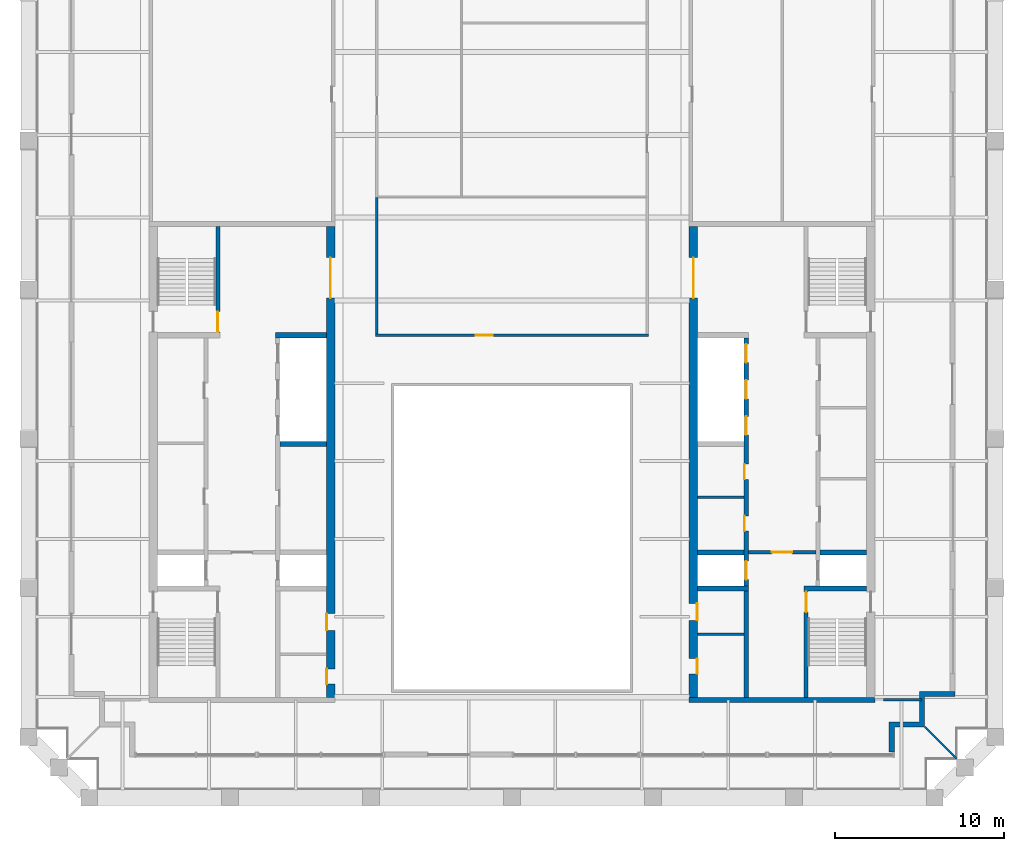
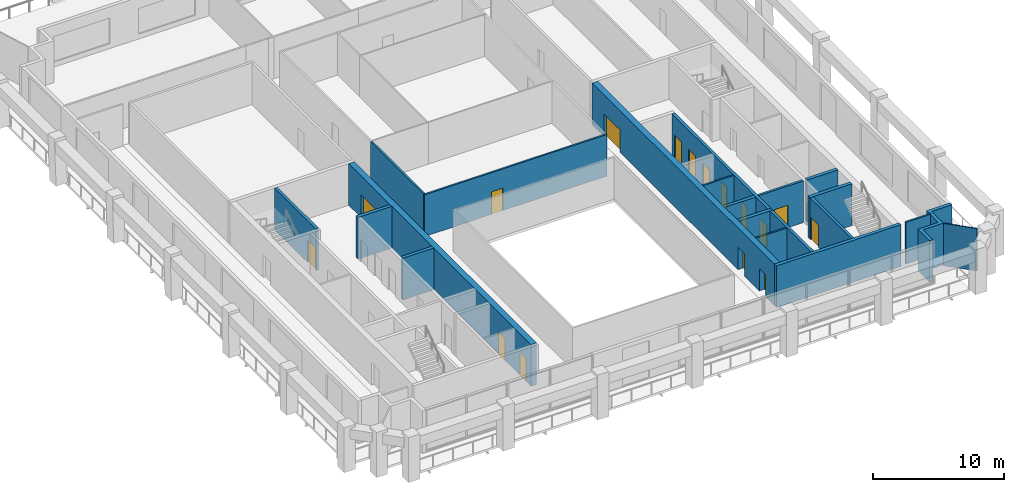
# One storey, part 6 of 10: 20 walls, 16 doors, 16 openings.
"""IFC4 building model written with IfcOpenShell, lengths in metres."""

from ifc_helpers import new_model, si_unit, direction, frame, frame_2d, origin, place, context, subcontext, project, spatial, polyline, rectangle, outline, extrude, material, layer, layer_set, type_object, element, fill, save


model = new_model("IFC4")

# Units and contexts
model_context = context("Model", 3, precision=1e-05, world=origin(), true_north=direction((0.0, 1.0)))
body_context = subcontext(model_context, "Body", "Model", "MODEL_VIEW")
ifc_project = project(units=[si_unit("LENGTHUNIT", "METRE"), si_unit("AREAUNIT", "SQUARE_METRE"), si_unit("VOLUMEUNIT", "CUBIC_METRE"), si_unit("PLANEANGLEUNIT", "RADIAN"), si_unit("MASSUNIT", "GRAM", prefix="KILO")], contexts=[model_context])

# Site, building, storey
site_placement = place(None, origin())
site = spatial("IfcSite", under=ifc_project, at=site_placement, CompositionType="ELEMENT")
building_placement = place(site_placement, origin())
building = spatial("IfcBuilding", under=site, at=building_placement, Name="Ogive Exchange Tower", CompositionType="ELEMENT")
storey_placement = place(building_placement, frame((0.0, 0.0, 359.39990234375)))
storey = spatial("IfcBuildingStorey", under=building, at=storey_placement, Name="L79", CompositionType="ELEMENT", Elevation=359.39990234375)

# Walls
ifc_material_1 = material(Name="Gypsum board partition")
ifc_layer_1 = layer(ifc_material_1, 0.14990234375)
ifc_layer_set_1 = layer_set([ifc_layer_1], Name="Core room partition 150 gypsum")
wall_type_1 = type_object("IfcWallType", Name="Core room partition 150 gypsum", PredefinedType="PARTITIONING", material=ifc_layer_set_1)
for number, where, z_axis, x_axis, name in (
    (1, (11.0, 9.39990234375, 0.0), (0.0, 0.0, 1.0), (1.0, 0.0, 0.0), "E row B bay partition 1-1"),
    (2, (11.0, 1.300048828125, 0.0), (0.0, 0.0, 1.0), (1.0, 0.0, 0.0), "E south room partition"),
):
    element("IfcWall", number, at=place(storey_placement, frame(where, z_axis=z_axis, x_axis=x_axis)), inside=storey, type_object=wall_type_1, Name=name, PredefinedType="PARTITIONING", context=body_context, shape_type="SweptSolid", body=[
        extrude(rectangle(XDim=2.75, YDim=0.14990234375, at=frame_2d((1.375, 0.0))), origin(), (0.0, 0.0, 1.0), 3.900146484375),
    ])

# Wall, opening, door
ifc_material_2 = material(Name="Fire partition EI 60 150")
ifc_layer_2 = layer(ifc_material_2, 0.14990234375)
ifc_layer_set_2 = layer_set([ifc_layer_2], Name="Fire partition EI 60 150")
wall_type_2 = type_object("IfcWallType", Name="Fire partition EI 60 150", PredefinedType="PARTITIONING", material=ifc_layer_set_2)
wall_1_placement = place(storey_placement, frame((-8.074951171875, 19.0, 0.0), z_axis=(0.0, 0.0, 1.0), x_axis=(1.0, 0.0, 0.0)))
wall_1 = element("IfcWall", 3, at=wall_1_placement, inside=storey, type_object=wall_type_2, Name="L79-PWL-005", PredefinedType="PARTITIONING", context=body_context, shape_type="SweptSolid", body=[
    extrude(rectangle(XDim=16.14990234375, YDim=0.14990234375, at=frame_2d((8.074951171875, 0.0))), origin(), (0.0, 0.0, 1.0), 3.900146484375),
])
opening_1_placement = place(wall_1_placement, frame((5.925048828125, 0.0, 0.0)))
opening_1 = element("IfcOpeningElement", 4, at=opening_1_placement, cuts=wall_1, Name="Opening L79-I09", PredefinedType="OPENING", context=body_context, shape_type="SweptSolid", body=[
    extrude(rectangle(XDim=1.0, YDim=2.10009765625, at=frame_2d((0.5, 1.050048828125))), frame((0.0, 0.0849609375, 0.0), z_axis=(0.0, -1.0, 0.0), x_axis=(1.0, 0.0, 0.0)), (0.0, 0.0, 1.0), 0.169921875),
])
ifc_material_3 = material(Name="Fire door FD 30S 1000 x 2100")
door_type_1 = type_object("IfcDoorType", Name="Fire door FD 30S 1000 x 2100", OperationType="NOTDEFINED", PredefinedType="DOOR", material=ifc_material_3)
door_1_placement = place(opening_1_placement, origin())
door_1 = element("IfcDoor", 5, at=door_1_placement, inside=storey, type_object=door_type_1, Name="L79-IDR-009", ObjectType="DT3", OperationType="SINGLE_SWING_RIGHT", OverallHeight=2.10009765625, OverallWidth=1.0, PredefinedType="DOOR", context=body_context, shape_type="SweptSolid", body=[
    extrude(rectangle(XDim=1.0, YDim=2.10009765625, at=frame_2d((0.5, 1.050048828125))), frame((0.0, 0.02490234375, 0.0), z_axis=(0.0, -1.0, 0.0), x_axis=(1.0, 0.0, 0.0)), (0.0, 0.0, 1.0), 0.050048828125),
])
fill(opening_1, door_1)

# Walls
wall_2_placement = place(storey_placement, frame((-8.0, 27.14990234375, 0.0), z_axis=(0.0, 0.0, 1.0), x_axis=(0.0, -1.0, 0.0)))
element("IfcWall", 6, at=wall_2_placement, inside=storey, type_object=wall_type_2, Name="L79-PWL-006", PredefinedType="PARTITIONING", context=body_context, shape_type="SweptSolid", body=[
    extrude(rectangle(XDim=8.074951171875, YDim=0.14990234375, at=frame_2d((4.03759765625, 0.0))), origin(), (0.0, 0.0, 1.0), 3.900146484375),
])
wall_3_placement = place(storey_placement, frame((22.0, -2.60009765625, 0.0), z_axis=(0.0, 0.0, 1.0), x_axis=(1.0, 0.0, 0.0)))
element("IfcWall", 7, at=wall_3_placement, inside=storey, type_object=wall_type_2, Name="L79-PWL-025", PredefinedType="PARTITIONING", context=body_context, shape_type="SweptSolid", body=[
    extrude(rectangle(XDim=2.25, YDim=0.14990234375, at=frame_2d((1.125, 0.0))), origin(), (0.0, 0.0, 1.0), 3.900146484375),
])
ifc_material_4 = material(Name="Precast concrete C40/50", Category="concrete")
ifc_layer_3 = layer(ifc_material_4, 0.300048828125)
ifc_layer_set_3 = layer_set([ifc_layer_3], Name="Limestone-faced wall 300")
wall_type_3 = type_object("IfcWallType", Name="Limestone-faced wall 300", PredefinedType="STANDARD", material=ifc_layer_set_3)
wall_4_placement = place(storey_placement, origin())
element("IfcWall", 8, at=wall_4_placement, inside=storey, type_object=wall_type_3, Name="External corner wall C1", PredefinedType="STANDARD", context=body_context, shape_type="SweptSolid", body=[
    extrude(outline(polyline([(24.14990234375, -3.89990234375), (24.14990234375, -2.10009765625), (26.25, -2.10009765625), (26.25, -2.39990234375), (24.449951171875, -2.39990234375), (24.449951171875, -4.199951171875), (22.64990234375, -4.199951171875), (22.64990234375, -5.699951171875), (22.35009765625, -5.699951171875), (22.35009765625, -3.89990234375), (24.14990234375, -3.89990234375)])), origin(), (0.0, 0.0, 1.0), 3.900146484375),
])
ifc_material_5 = material(Name="Laminated safety glass in steel frame", Category="steel")
ifc_layer_4 = layer(ifc_material_5, 0.10009765625)
ifc_layer_set_4 = layer_set([ifc_layer_4], Name="Loggia end screen 100")
wall_type_4 = type_object("IfcWallType", Name="Loggia end screen 100", PredefinedType="STANDARD", material=ifc_layer_set_4)
wall_5_placement = place(storey_placement, frame((24.449951171875, -4.199951171875, -0.0498046875), z_axis=(0.0, 0.0, 1.0), x_axis=(0.707106781187, -0.707106781187, 0.0)))
element("IfcWall", 9, at=wall_5_placement, inside=storey, type_object=wall_type_4, Name="Loggia end screen C1", PredefinedType="STANDARD", context=body_context, shape_type="SweptSolid", body=[
    extrude(rectangle(XDim=2.667236328125, YDim=0.10009765625, at=frame_2d((1.33349609375, 0.0))), origin(), (0.0, 0.0, 1.0), 3.949951171875),
])

# Wall, opening, door
ifc_material_6 = material(Name="Concrete C70/85", Category="concrete")
ifc_layer_5 = layer(ifc_material_6, 0.199951171875)
ifc_layer_set_5 = layer_set([ifc_layer_5], Name="RC core wall 200 C70/85")
wall_type_5 = type_object("IfcWallType", Name="RC core wall 200 C70/85", PredefinedType="SHEAR", material=ifc_layer_set_5)
wall_6_placement = place(storey_placement, frame((14.0, 6.142822265625, 0.0), z_axis=(0.0, 0.0, 1.0), x_axis=(1.0, 0.0, 0.0)))
wall_6 = element("IfcWall", 10, at=wall_6_placement, inside=storey, type_object=wall_type_5, Name="E firefighting lobby wall", PredefinedType="SHEAR", context=body_context, shape_type="SweptSolid", body=[
    extrude(rectangle(XDim=4.0, YDim=0.199951171875, at=frame_2d((2.0, 0.0))), origin(), (0.0, 0.0, 1.0), 3.900146484375),
])
opening_2_placement = place(wall_6_placement, frame((1.39990234375, 0.0, 0.0)))
opening_2 = element("IfcOpeningElement", 11, at=opening_2_placement, cuts=wall_6, Name="Opening L79-C28", PredefinedType="OPENING", context=body_context, shape_type="SweptSolid", body=[
    extrude(rectangle(XDim=1.199951171875, YDim=2.10009765625, at=frame_2d((0.60009765625, 1.050048828125))), frame((0.0, 0.10986328125, 0.0), z_axis=(0.0, -1.0, 0.0), x_axis=(1.0, 0.0, 0.0)), (0.0, 0.0, 1.0), 0.219970703125),
])
ifc_material_7 = material(Name="Steel fire door", Category="steel")
door_type_2 = type_object("IfcDoorType", Name="Firefighting lobby door FD60 1200 x 2100", OperationType="NOTDEFINED", PredefinedType="DOOR", material=ifc_material_7)
door_2_placement = place(opening_2_placement, frame((1.199951171875, 0.0, 0.0), z_axis=(0.0, 0.0, 1.0), x_axis=(-1.0, 0.0, 0.0)))
door_2 = element("IfcDoor", 12, at=door_2_placement, inside=storey, type_object=door_type_2, Name="Firefighting lobby door", ObjectType="CD3", OperationType="SINGLE_SWING_LEFT", OverallHeight=2.10009765625, OverallWidth=1.199951171875, PredefinedType="DOOR", context=body_context, shape_type="SweptSolid", body=[
    extrude(rectangle(XDim=1.199951171875, YDim=2.10009765625, at=frame_2d((0.60009765625, 1.050048828125))), frame((0.0, 0.02490234375, 0.0), z_axis=(0.0, -1.0, 0.0), x_axis=(1.0, 0.0, 0.0)), (0.0, 0.0, 1.0), 0.050048828125),
])
fill(opening_2, door_2)

ifc_layer_6 = layer(ifc_material_6, 0.25)
ifc_layer_set_6 = layer_set([ifc_layer_6], Name="RC core wall 250 C70/85")
wall_type_6 = type_object("IfcWallType", Name="RC core wall 250 C70/85", PredefinedType="SHEAR", material=ifc_layer_set_6)
wall_7_placement = place(storey_placement, frame((-17.425048828125, 19.14990234375, 0.0), z_axis=(0.0, 0.0, 1.0), x_axis=(0.0, 1.0, 0.0)))
wall_7 = element("IfcWall", 13, at=wall_7_placement, inside=storey, type_object=wall_type_6, Name="W stair N front wall", PredefinedType="SHEAR", context=body_context, shape_type="SweptSolid", body=[
    extrude(rectangle(XDim=6.300048828125, YDim=0.25, at=frame_2d((3.14990234375, 0.0))), origin(), (0.0, 0.0, 1.0), 3.900146484375),
])
opening_3_placement = place(wall_7_placement, frame((0.050048828125, 0.0, 0.0)))
opening_3 = element("IfcOpeningElement", 14, at=opening_3_placement, cuts=wall_7, Name="Opening L79-C13", PredefinedType="OPENING", context=body_context, shape_type="SweptSolid", body=[
    extrude(rectangle(XDim=1.199951171875, YDim=2.10009765625, at=frame_2d((0.60009765625, 1.050048828125))), frame((0.0, 0.135009765625, 0.0), z_axis=(0.0, -1.0, 0.0), x_axis=(1.0, 0.0, 0.0)), (0.0, 0.0, 1.0), 0.27001953125),
])
door_type_3 = type_object("IfcDoorType", Name="Stair door FD90 1200 x 2100", OperationType="NOTDEFINED", PredefinedType="DOOR", material=ifc_material_7)
door_3_placement = place(opening_3_placement, origin())
door_3 = element("IfcDoor", 15, at=door_3_placement, inside=storey, type_object=door_type_3, Name="Stair door", ObjectType="CD5", OperationType="SINGLE_SWING_RIGHT", OverallHeight=2.10009765625, OverallWidth=1.199951171875, PredefinedType="DOOR", context=body_context, shape_type="SweptSolid", body=[
    extrude(rectangle(XDim=1.199951171875, YDim=2.10009765625, at=frame_2d((0.60009765625, 1.050048828125))), frame((0.0, 0.02490234375, 0.0), z_axis=(0.0, -1.0, 0.0), x_axis=(1.0, 0.0, 0.0)), (0.0, 0.0, 1.0), 0.050048828125),
])
fill(opening_3, door_3)

wall_8_placement = place(storey_placement, frame((17.425048828125, -2.449951171875, 0.0), z_axis=(0.0, 0.0, 1.0), x_axis=(0.0, 1.0, 0.0)))
wall_8 = element("IfcWall", 16, at=wall_8_placement, inside=storey, type_object=wall_type_6, Name="E stair S front wall", PredefinedType="SHEAR", context=body_context, shape_type="SweptSolid", body=[
    extrude(rectangle(XDim=6.300048828125, YDim=0.25, at=frame_2d((3.14990234375, 0.0))), origin(), (0.0, 0.0, 1.0), 3.900146484375),
])
opening_4_placement = place(wall_8_placement, frame((5.050048828125, 0.0, 0.0)))
opening_4 = element("IfcOpeningElement", 17, at=opening_4_placement, cuts=wall_8, Name="Opening L79-C30", PredefinedType="OPENING", context=body_context, shape_type="SweptSolid", body=[
    extrude(rectangle(XDim=1.199951171875, YDim=2.10009765625, at=frame_2d((0.60009765625, 1.050048828125))), frame((0.0, 0.135009765625, 0.0), z_axis=(0.0, -1.0, 0.0), x_axis=(1.0, 0.0, 0.0)), (0.0, 0.0, 1.0), 0.27001953125),
])
door_4_placement = place(opening_4_placement, frame((1.199951171875, 0.0, 0.0), z_axis=(0.0, 0.0, 1.0), x_axis=(-1.0, 0.0, 0.0)))
door_4 = element("IfcDoor", 18, at=door_4_placement, inside=storey, type_object=door_type_3, Name="Stair door", ObjectType="CD5", OperationType="SINGLE_SWING_RIGHT", OverallHeight=2.10009765625, OverallWidth=1.199951171875, PredefinedType="DOOR", context=body_context, shape_type="SweptSolid", body=[
    extrude(rectangle(XDim=1.199951171875, YDim=2.10009765625, at=frame_2d((0.60009765625, 1.050048828125))), frame((0.0, 0.02490234375, 0.0), z_axis=(0.0, -1.0, 0.0), x_axis=(1.0, 0.0, 0.0)), (0.0, 0.0, 1.0), 0.050048828125),
])
fill(opening_4, door_4)

# Wall, openings, doors
wall_9_placement = place(storey_placement, frame((13.875, -2.449951171875, 0.0), z_axis=(0.0, 0.0, 1.0), x_axis=(0.0, 1.0, 0.0)))
wall_9 = element("IfcWall", 19, at=wall_9_placement, inside=storey, type_object=wall_type_6, Name="E row B front wall", PredefinedType="SHEAR", context=body_context, shape_type="SweptSolid", body=[
    extrude(rectangle(XDim=21.300048828125, YDim=0.25, at=frame_2d((10.64990234375, 0.0))), origin(), (0.0, 0.0, 1.0), 3.900146484375),
])
opening_5_placement = place(wall_9_placement, frame((9.846435546875, 0.0, 0.0)))
opening_5 = element("IfcOpeningElement", 20, at=opening_5_placement, cuts=wall_9, Name="Opening L79-C22", PredefinedType="OPENING", context=body_context, shape_type="SweptSolid", body=[
    extrude(rectangle(XDim=0.89990234375, YDim=2.10009765625, at=frame_2d((0.449951171875, 1.050048828125))), frame((0.0, 0.135009765625, 0.0), z_axis=(0.0, -1.0, 0.0), x_axis=(1.0, 0.0, 0.0)), (0.0, 0.0, 1.0), 0.27001953125),
])
opening_6_placement = place(wall_9_placement, frame((12.91064453125, 0.0, 0.0)))
opening_6 = element("IfcOpeningElement", 21, at=opening_6_placement, cuts=wall_9, Name="Opening L79-C23", PredefinedType="OPENING", context=body_context, shape_type="SweptSolid", body=[
    extrude(rectangle(XDim=0.89990234375, YDim=2.10009765625, at=frame_2d((0.449951171875, 1.050048828125))), frame((0.0, 0.135009765625, 0.0), z_axis=(0.0, -1.0, 0.0), x_axis=(1.0, 0.0, 0.0)), (0.0, 0.0, 1.0), 0.27001953125),
])
opening_7_placement = place(wall_9_placement, frame((6.971435546875, 0.0, 0.0)))
opening_7 = element("IfcOpeningElement", 22, at=opening_7_placement, cuts=wall_9, Name="Opening L79-C24", PredefinedType="OPENING", context=body_context, shape_type="SweptSolid", body=[
    extrude(rectangle(XDim=1.10009765625, YDim=2.10009765625, at=frame_2d((0.550048828125, 1.050048828125))), frame((0.0, 0.135009765625, 0.0), z_axis=(0.0, -1.0, 0.0), x_axis=(1.0, 0.0, 0.0)), (0.0, 0.0, 1.0), 0.27001953125),
])
opening_8_placement = place(wall_9_placement, frame((15.54296875, 0.0, 0.0)))
opening_8 = element("IfcOpeningElement", 23, at=opening_8_placement, cuts=wall_9, Name="Opening L79-C25", PredefinedType="OPENING", context=body_context, shape_type="SweptSolid", body=[
    extrude(rectangle(XDim=1.10009765625, YDim=2.10009765625, at=frame_2d((0.550048828125, 1.050048828125))), frame((0.0, 0.135009765625, 0.0), z_axis=(0.0, -1.0, 0.0), x_axis=(1.0, 0.0, 0.0)), (0.0, 0.0, 1.0), 0.27001953125),
])
opening_9_placement = place(wall_9_placement, frame((17.685791015625, 0.0, 0.0)))
opening_9 = element("IfcOpeningElement", 24, at=opening_9_placement, cuts=wall_9, Name="Opening L79-C26", PredefinedType="OPENING", context=body_context, shape_type="SweptSolid", body=[
    extrude(rectangle(XDim=1.10009765625, YDim=2.10009765625, at=frame_2d((0.550048828125, 1.050048828125))), frame((0.0, 0.135009765625, 0.0), z_axis=(0.0, -1.0, 0.0), x_axis=(1.0, 0.0, 0.0)), (0.0, 0.0, 1.0), 0.27001953125),
])
opening_10_placement = place(wall_9_placement, frame((19.82861328125, 0.0, 0.0)))
opening_10 = element("IfcOpeningElement", 25, at=opening_10_placement, cuts=wall_9, Name="Opening L79-C27", PredefinedType="OPENING", context=body_context, shape_type="SweptSolid", body=[
    extrude(rectangle(XDim=1.10009765625, YDim=2.10009765625, at=frame_2d((0.550048828125, 1.050048828125))), frame((0.0, 0.135009765625, 0.0), z_axis=(0.0, -1.0, 0.0), x_axis=(1.0, 0.0, 0.0)), (0.0, 0.0, 1.0), 0.27001953125),
])
ifc_material_8 = material(Name="Stainless steel", Category="steel")
door_type_4 = type_object("IfcDoorType", Name="Lift landing door FD90 1100 x 2100", OperationType="SLIDING_TO_LEFT", PredefinedType="DOOR", material=ifc_material_8)
door_5_placement = place(opening_7_placement, origin())
door_5 = element("IfcDoor", 26, at=door_5_placement, inside=storey, type_object=door_type_4, Name="Lift landing door SV2", ObjectType="LD", OperationType="SLIDING_TO_LEFT", OverallHeight=2.10009765625, OverallWidth=1.10009765625, PredefinedType="DOOR", context=body_context, shape_type="SweptSolid", body=[
    extrude(rectangle(XDim=1.10009765625, YDim=2.10009765625, at=frame_2d((0.550048828125, 1.050048828125))), frame((0.0, 0.02490234375, 0.0), z_axis=(0.0, -1.0, 0.0), x_axis=(1.0, 0.0, 0.0)), (0.0, 0.0, 1.0), 0.050048828125),
])
fill(opening_7, door_5)
door_6_placement = place(opening_8_placement, origin())
door_6 = element("IfcDoor", 27, at=door_6_placement, inside=storey, type_object=door_type_4, Name="Lift landing door E-H1", ObjectType="LD", OperationType="SLIDING_TO_LEFT", OverallHeight=2.10009765625, OverallWidth=1.10009765625, PredefinedType="DOOR", context=body_context, shape_type="SweptSolid", body=[
    extrude(rectangle(XDim=1.10009765625, YDim=2.10009765625, at=frame_2d((0.550048828125, 1.050048828125))), frame((0.0, 0.02490234375, 0.0), z_axis=(0.0, -1.0, 0.0), x_axis=(1.0, 0.0, 0.0)), (0.0, 0.0, 1.0), 0.050048828125),
])
fill(opening_8, door_6)
door_7_placement = place(opening_9_placement, origin())
door_7 = element("IfcDoor", 28, at=door_7_placement, inside=storey, type_object=door_type_4, Name="Lift landing door E-H2", ObjectType="LD", OperationType="SLIDING_TO_LEFT", OverallHeight=2.10009765625, OverallWidth=1.10009765625, PredefinedType="DOOR", context=body_context, shape_type="SweptSolid", body=[
    extrude(rectangle(XDim=1.10009765625, YDim=2.10009765625, at=frame_2d((0.550048828125, 1.050048828125))), frame((0.0, 0.02490234375, 0.0), z_axis=(0.0, -1.0, 0.0), x_axis=(1.0, 0.0, 0.0)), (0.0, 0.0, 1.0), 0.050048828125),
])
fill(opening_9, door_7)
door_8_placement = place(opening_10_placement, origin())
door_8 = element("IfcDoor", 29, at=door_8_placement, inside=storey, type_object=door_type_4, Name="Lift landing door E-H3", ObjectType="LD", OperationType="SLIDING_TO_LEFT", OverallHeight=2.10009765625, OverallWidth=1.10009765625, PredefinedType="DOOR", context=body_context, shape_type="SweptSolid", body=[
    extrude(rectangle(XDim=1.10009765625, YDim=2.10009765625, at=frame_2d((0.550048828125, 1.050048828125))), frame((0.0, 0.02490234375, 0.0), z_axis=(0.0, -1.0, 0.0), x_axis=(1.0, 0.0, 0.0)), (0.0, 0.0, 1.0), 0.050048828125),
])
fill(opening_10, door_8)
door_type_5 = type_object("IfcDoorType", Name="Riser door FD60 900 x 2100", OperationType="NOTDEFINED", PredefinedType="DOOR", material=ifc_material_7)
door_9_placement = place(opening_5_placement, origin())
door_9 = element("IfcDoor", 30, at=door_9_placement, inside=storey, type_object=door_type_5, Name="Riser door", ObjectType="CD2", OperationType="SINGLE_SWING_RIGHT", OverallHeight=2.10009765625, OverallWidth=0.89990234375, PredefinedType="DOOR", context=body_context, shape_type="SweptSolid", body=[
    extrude(rectangle(XDim=0.89990234375, YDim=2.10009765625, at=frame_2d((0.449951171875, 1.050048828125))), frame((0.0, 0.125, 0.0), z_axis=(0.0, -1.0, 0.0), x_axis=(1.0, 0.0, 0.0)), (0.0, 0.0, 1.0), 0.050048828125),
])
fill(opening_5, door_9)
door_10_placement = place(opening_6_placement, origin())
door_10 = element("IfcDoor", 31, at=door_10_placement, inside=storey, type_object=door_type_5, Name="Riser door", ObjectType="CD2", OperationType="SINGLE_SWING_RIGHT", OverallHeight=2.10009765625, OverallWidth=0.89990234375, PredefinedType="DOOR", context=body_context, shape_type="SweptSolid", body=[
    extrude(rectangle(XDim=0.89990234375, YDim=2.10009765625, at=frame_2d((0.449951171875, 1.050048828125))), frame((0.0, 0.125, 0.0), z_axis=(0.0, -1.0, 0.0), x_axis=(1.0, 0.0, 0.0)), (0.0, 0.0, 1.0), 0.050048828125),
])
fill(opening_6, door_10)

# Walls
ifc_layer_7 = layer(ifc_material_6, 0.300048828125)
ifc_layer_set_7 = layer_set([ifc_layer_7], Name="RC core wall 300 C70/85")
wall_type_7 = type_object("IfcWallType", Name="RC core wall 300 C70/85", PredefinedType="SHEAR", material=ifc_layer_set_7)
wall_10_placement = place(storey_placement, frame((-13.75, 12.5712890625, 0.0), z_axis=(0.0, 0.0, 1.0), x_axis=(1.0, 0.0, 0.0)))
element("IfcWall", 32, at=wall_10_placement, inside=storey, type_object=wall_type_7, Name="W row B divider 4", PredefinedType="SHEAR", context=body_context, shape_type="SweptSolid", body=[
    extrude(rectangle(XDim=2.75, YDim=0.300048828125, at=frame_2d((1.375, 0.0))), origin(), (0.0, 0.0, 1.0), 3.900146484375),
])
wall_11_placement = place(storey_placement, frame((-14.0, 19.0, 0.0), z_axis=(0.0, 0.0, 1.0), x_axis=(1.0, 0.0, 0.0)))
element("IfcWall", 33, at=wall_11_placement, inside=storey, type_object=wall_type_7, Name="W row B divider 7", PredefinedType="SHEAR", context=body_context, shape_type="SweptSolid", body=[
    extrude(rectangle(XDim=3.0, YDim=0.300048828125, at=frame_2d((1.5, 0.0))), origin(), (0.0, 0.0, 1.0), 3.900146484375),
])
wall_12_placement = place(storey_placement, frame((10.5, -2.60009765625, 0.0), z_axis=(0.0, 0.0, 1.0), x_axis=(1.0, 0.0, 0.0)))
element("IfcWall", 34, at=wall_12_placement, inside=storey, type_object=wall_type_7, Name="E south end wall", PredefinedType="SHEAR", context=body_context, shape_type="SweptSolid", body=[
    extrude(rectangle(XDim=11.0, YDim=0.300048828125, at=frame_2d((5.5, 0.0))), origin(), (0.0, 0.0, 1.0), 3.900146484375),
])
wall_13_placement = place(storey_placement, frame((17.300048828125, 4.0, 0.0), z_axis=(0.0, 0.0, 1.0), x_axis=(1.0, 0.0, 0.0)))
element("IfcWall", 35, at=wall_13_placement, inside=storey, type_object=wall_type_7, Name="E stair S north wall", PredefinedType="SHEAR", context=body_context, shape_type="SweptSolid", body=[
    extrude(rectangle(XDim=3.699951171875, YDim=0.300048828125, at=frame_2d((1.85009765625, 0.0))), origin(), (0.0, 0.0, 1.0), 3.900146484375),
])
wall_14_placement = place(storey_placement, frame((18.25, 6.142822265625, 0.0), z_axis=(0.0, 0.0, 1.0), x_axis=(1.0, 0.0, 0.0)))
element("IfcWall", 36, at=wall_14_placement, inside=storey, type_object=wall_type_7, Name="E row A divider 1", PredefinedType="SHEAR", context=body_context, shape_type="SweptSolid", body=[
    extrude(rectangle(XDim=2.75, YDim=0.300048828125, at=frame_2d((1.375, 0.0))), origin(), (0.0, 0.0, 1.0), 3.900146484375),
])
wall_15_placement = place(storey_placement, frame((11.0, 4.0, 0.0), z_axis=(0.0, 0.0, 1.0), x_axis=(1.0, 0.0, 0.0)))
element("IfcWall", 37, at=wall_15_placement, inside=storey, type_object=wall_type_7, Name="E row B divider 0", PredefinedType="SHEAR", context=body_context, shape_type="SweptSolid", body=[
    extrude(rectangle(XDim=3.0, YDim=0.300048828125, at=frame_2d((1.5, 0.0))), origin(), (0.0, 0.0, 1.0), 3.900146484375),
])
wall_16_placement = place(storey_placement, frame((11.0, 6.142822265625, 0.0), z_axis=(0.0, 0.0, 1.0), x_axis=(1.0, 0.0, 0.0)))
element("IfcWall", 38, at=wall_16_placement, inside=storey, type_object=wall_type_7, Name="E row B divider 1", PredefinedType="SHEAR", context=body_context, shape_type="SweptSolid", body=[
    extrude(rectangle(XDim=2.75, YDim=0.300048828125, at=frame_2d((1.375, 0.0))), origin(), (0.0, 0.0, 1.0), 3.900146484375),
])

# Wall, openings, doors
ifc_layer_8 = layer(ifc_material_6, 0.5)
ifc_layer_set_8 = layer_set([ifc_layer_8], Name="RC core wall 500 C70/85")
wall_type_8 = type_object("IfcWallType", Name="RC core wall 500 C70/85", PredefinedType="SHEAR", material=ifc_layer_set_8)
wall_17_placement = place(storey_placement, frame((-10.75, -2.449951171875, 0.0), z_axis=(0.0, 0.0, 1.0), x_axis=(0.0, 1.0, 0.0)))
wall_17 = element("IfcWall", 39, at=wall_17_placement, inside=storey, type_object=wall_type_8, Name="W inner wall", PredefinedType="SHEAR", context=body_context, shape_type="SweptSolid", body=[
    extrude(rectangle(XDim=27.89990234375, YDim=0.5, at=frame_2d((13.949951171875, 0.0))), origin(), (0.0, 0.0, 1.0), 3.900146484375),
])
opening_11_placement = place(wall_17_placement, frame((23.64990234375, 0.0, 0.0)))
opening_11 = element("IfcOpeningElement", 40, at=opening_11_placement, cuts=wall_17, Name="Opening L79-C10", PredefinedType="OPENING", context=body_context, shape_type="SweptSolid", body=[
    extrude(rectangle(XDim=2.39990234375, YDim=2.10009765625, at=frame_2d((1.199951171875, 1.050048828125))), frame((0.0, 0.260009765625, 0.0), z_axis=(0.0, -1.0, 0.0), x_axis=(1.0, 0.0, 0.0)), (0.0, 0.0, 1.0), 0.52001953125),
])
opening_12_placement = place(wall_17_placement, frame((0.78759765625, 0.0, 0.0)))
opening_12 = element("IfcOpeningElement", 41, at=opening_12_placement, cuts=wall_17, Name="Opening L79-C15", PredefinedType="OPENING", context=body_context, shape_type="SweptSolid", body=[
    extrude(rectangle(XDim=0.89990234375, YDim=2.10009765625, at=frame_2d((0.449951171875, 1.050048828125))), frame((0.0, 0.260009765625, 0.0), z_axis=(0.0, -1.0, 0.0), x_axis=(1.0, 0.0, 0.0)), (0.0, 0.0, 1.0), 0.52001953125),
])
opening_13_placement = place(wall_17_placement, frame((3.96240234375, 0.0, 0.0)))
opening_13 = element("IfcOpeningElement", 42, at=opening_13_placement, cuts=wall_17, Name="Opening L79-C16", PredefinedType="OPENING", context=body_context, shape_type="SweptSolid", body=[
    extrude(rectangle(XDim=1.0, YDim=2.10009765625, at=frame_2d((0.5, 1.050048828125))), frame((0.0, 0.260009765625, 0.0), z_axis=(0.0, -1.0, 0.0), x_axis=(1.0, 0.0, 0.0)), (0.0, 0.0, 1.0), 0.52001953125),
])
ifc_material_9 = material(Name="Timber fire door", Category="wood")
door_type_6 = type_object("IfcDoorType", Name="Accessible WC door FD30S 1000 x 2100", OperationType="NOTDEFINED", PredefinedType="DOOR", material=ifc_material_9)
door_11_placement = place(opening_13_placement, frame((1.0, 0.4501953125, 0.0), z_axis=(0.0, 0.0, 1.0), x_axis=(-1.0, 0.0, 0.0)))
door_11 = element("IfcDoor", 43, at=door_11_placement, inside=storey, type_object=door_type_6, Name="Accessible WC door", ObjectType="CD7", OperationType="SINGLE_SWING_LEFT", OverallHeight=2.10009765625, OverallWidth=1.0, PredefinedType="DOOR", context=body_context, shape_type="SweptSolid", body=[
    extrude(rectangle(XDim=1.0, YDim=2.10009765625, at=frame_2d((0.5, 1.050048828125))), frame((0.0, 0.25, 0.0), z_axis=(0.0, -1.0, 0.0), x_axis=(1.0, 0.0, 0.0)), (0.0, 0.0, 1.0), 0.050048828125),
])
fill(opening_13, door_11)
door_type_7 = type_object("IfcDoorType", Name="Core room door FD30S 900 x 2100", OperationType="NOTDEFINED", PredefinedType="DOOR", material=ifc_material_9)
door_12_placement = place(opening_12_placement, frame((0.89990234375, 0.4501953125, 0.0), z_axis=(0.0, 0.0, 1.0), x_axis=(-1.0, 0.0, 0.0)))
door_12 = element("IfcDoor", 44, at=door_12_placement, inside=storey, type_object=door_type_7, Name="Core room door", ObjectType="CD6", OperationType="SINGLE_SWING_LEFT", OverallHeight=2.10009765625, OverallWidth=0.89990234375, PredefinedType="DOOR", context=body_context, shape_type="SweptSolid", body=[
    extrude(rectangle(XDim=0.89990234375, YDim=2.10009765625, at=frame_2d((0.449951171875, 1.050048828125))), frame((0.0, 0.25, 0.0), z_axis=(0.0, -1.0, 0.0), x_axis=(1.0, 0.0, 0.0)), (0.0, 0.0, 1.0), 0.050048828125),
])
fill(opening_12, door_12)
ifc_material_10 = material(Name="Glazed steel fire door", Category="steel")
door_type_8 = type_object("IfcDoorType", Name="Lift lobby double door FD60 2400 x 2100", OperationType="DOUBLE_DOOR_SINGLE_SWING", PredefinedType="DOOR", material=ifc_material_10)
door_13_placement = place(opening_11_placement, frame((2.39990234375, 0.0, 0.0), z_axis=(0.0, 0.0, 1.0), x_axis=(-1.0, 0.0, 0.0)))
door_13 = element("IfcDoor", 45, at=door_13_placement, inside=storey, type_object=door_type_8, Name="Lift lobby double door", ObjectType="CD4", OperationType="DOUBLE_DOOR_SINGLE_SWING", OverallHeight=2.10009765625, OverallWidth=2.39990234375, PredefinedType="DOOR", context=body_context, shape_type="SweptSolid", body=[
    extrude(rectangle(XDim=2.39990234375, YDim=2.10009765625, at=frame_2d((1.199951171875, 1.050048828125))), frame((0.0, 0.02490234375, 0.0), z_axis=(0.0, -1.0, 0.0), x_axis=(1.0, 0.0, 0.0)), (0.0, 0.0, 1.0), 0.050048828125),
])
fill(opening_11, door_13)

wall_18_placement = place(storey_placement, frame((10.75, -2.449951171875, 0.0), z_axis=(0.0, 0.0, 1.0), x_axis=(0.0, 1.0, 0.0)))
wall_18 = element("IfcWall", 46, at=wall_18_placement, inside=storey, type_object=wall_type_8, Name="E inner wall", PredefinedType="SHEAR", context=body_context, shape_type="SweptSolid", body=[
    extrude(rectangle(XDim=27.89990234375, YDim=0.5, at=frame_2d((13.949951171875, 0.0))), origin(), (0.0, 0.0, 1.0), 3.900146484375),
])
opening_14_placement = place(wall_18_placement, frame((23.64990234375, 0.0, 0.0)))
opening_14 = element("IfcOpeningElement", 47, at=opening_14_placement, cuts=wall_18, Name="Opening L79-C29", PredefinedType="OPENING", context=body_context, shape_type="SweptSolid", body=[
    extrude(rectangle(XDim=2.39990234375, YDim=2.10009765625, at=frame_2d((1.199951171875, 1.050048828125))), frame((0.0, 0.260009765625, 0.0), z_axis=(0.0, -1.0, 0.0), x_axis=(1.0, 0.0, 0.0)), (0.0, 0.0, 1.0), 0.52001953125),
])
opening_15_placement = place(wall_18_placement, frame((1.387451171875, 0.0, 0.0)))
opening_15 = element("IfcOpeningElement", 48, at=opening_15_placement, cuts=wall_18, Name="Opening L79-C34", PredefinedType="OPENING", context=body_context, shape_type="SweptSolid", body=[
    extrude(rectangle(XDim=0.89990234375, YDim=2.10009765625, at=frame_2d((0.449951171875, 1.050048828125))), frame((0.0, 0.260009765625, 0.0), z_axis=(0.0, -1.0, 0.0), x_axis=(1.0, 0.0, 0.0)), (0.0, 0.0, 1.0), 0.52001953125),
])
opening_16_placement = place(wall_18_placement, frame((4.5625, 0.0, 0.0)))
opening_16 = element("IfcOpeningElement", 49, at=opening_16_placement, cuts=wall_18, Name="Opening L79-C35", PredefinedType="OPENING", context=body_context, shape_type="SweptSolid", body=[
    extrude(rectangle(XDim=1.0, YDim=2.10009765625, at=frame_2d((0.5, 1.050048828125))), frame((0.0, 0.260009765625, 0.0), z_axis=(0.0, -1.0, 0.0), x_axis=(1.0, 0.0, 0.0)), (0.0, 0.0, 1.0), 0.52001953125),
])
door_14_placement = place(opening_16_placement, origin())
door_14 = element("IfcDoor", 50, at=door_14_placement, inside=storey, type_object=door_type_6, Name="Accessible WC door", ObjectType="CD7", OperationType="SINGLE_SWING_RIGHT", OverallHeight=2.10009765625, OverallWidth=1.0, PredefinedType="DOOR", context=body_context, shape_type="SweptSolid", body=[
    extrude(rectangle(XDim=1.0, YDim=2.10009765625, at=frame_2d((0.5, 1.050048828125))), frame((0.0, -0.2001953125, 0.0), z_axis=(0.0, -1.0, 0.0), x_axis=(1.0, 0.0, 0.0)), (0.0, 0.0, 1.0), 0.050048828125),
])
fill(opening_16, door_14)
door_15_placement = place(opening_15_placement, origin())
door_15 = element("IfcDoor", 51, at=door_15_placement, inside=storey, type_object=door_type_7, Name="Core room door", ObjectType="CD6", OperationType="SINGLE_SWING_RIGHT", OverallHeight=2.10009765625, OverallWidth=0.89990234375, PredefinedType="DOOR", context=body_context, shape_type="SweptSolid", body=[
    extrude(rectangle(XDim=0.89990234375, YDim=2.10009765625, at=frame_2d((0.449951171875, 1.050048828125))), frame((0.0, -0.2001953125, 0.0), z_axis=(0.0, -1.0, 0.0), x_axis=(1.0, 0.0, 0.0)), (0.0, 0.0, 1.0), 0.050048828125),
])
fill(opening_15, door_15)
door_16_placement = place(opening_14_placement, origin())
door_16 = element("IfcDoor", 52, at=door_16_placement, inside=storey, type_object=door_type_8, Name="Lift lobby double door", ObjectType="CD4", OperationType="DOUBLE_DOOR_SINGLE_SWING", OverallHeight=2.10009765625, OverallWidth=2.39990234375, PredefinedType="DOOR", context=body_context, shape_type="SweptSolid", body=[
    extrude(rectangle(XDim=2.39990234375, YDim=2.10009765625, at=frame_2d((1.199951171875, 1.050048828125))), frame((0.0, 0.02490234375, 0.0), z_axis=(0.0, -1.0, 0.0), x_axis=(1.0, 0.0, 0.0)), (0.0, 0.0, 1.0), 0.050048828125),
])
fill(opening_14, door_16)

save(model, "model.ifc")
